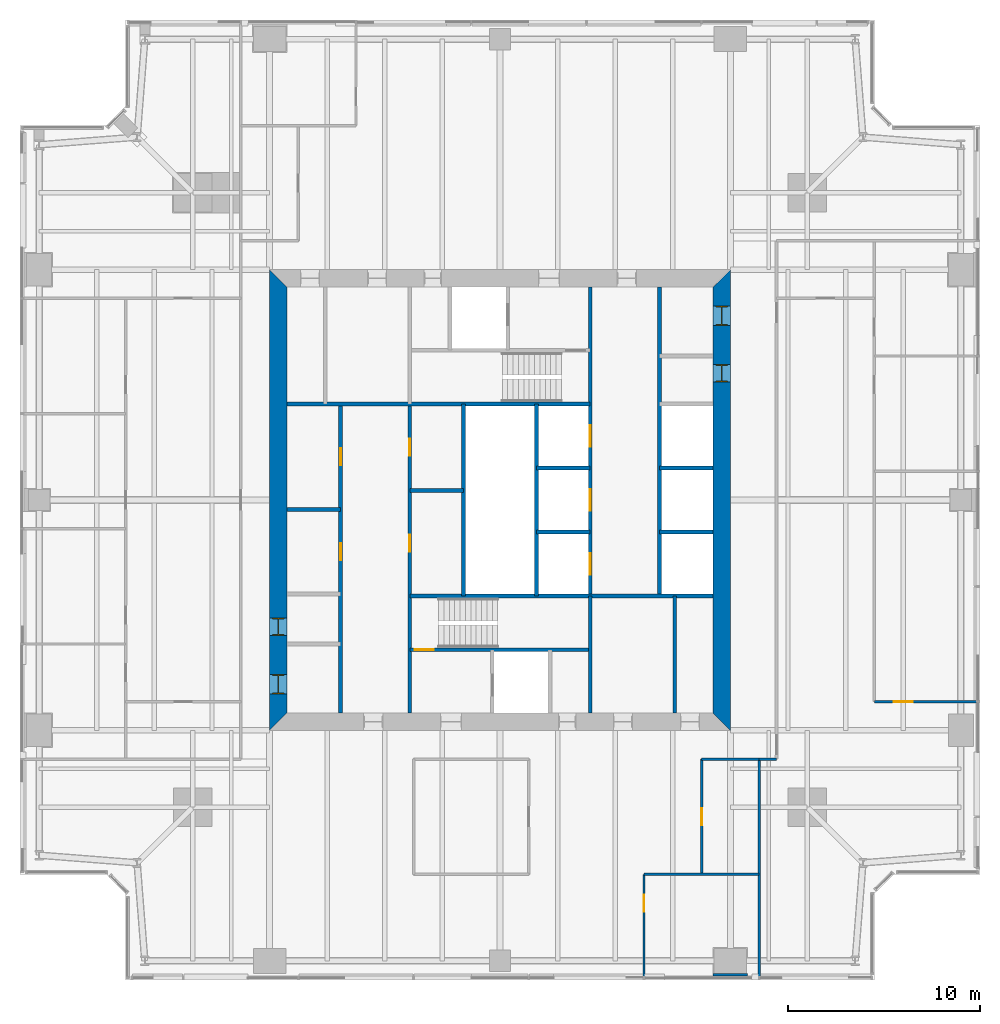
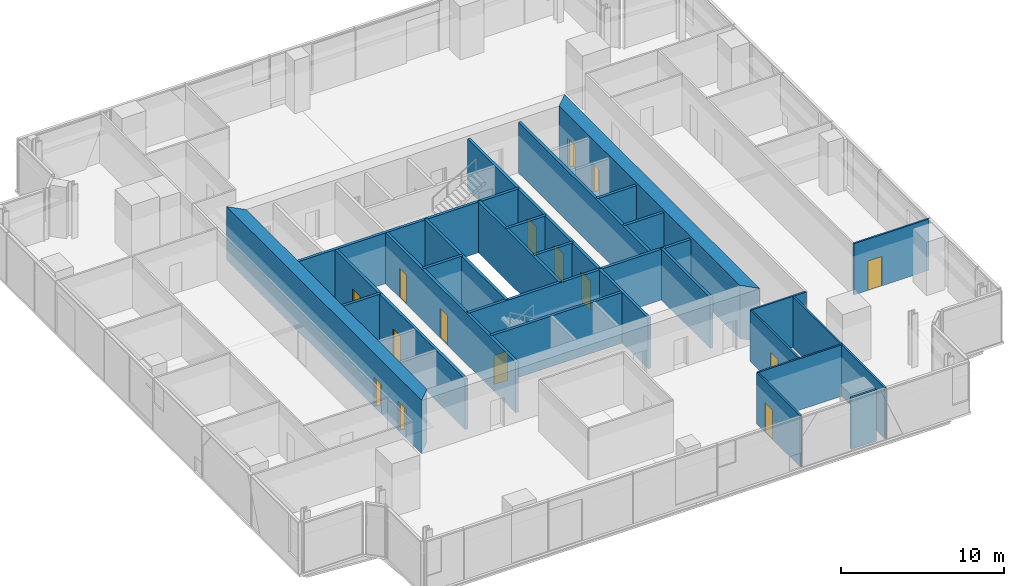
# One storey, part 10 of 14: 27 walls, 15 doors, 15 openings.
"""IFC4 building model written with IfcOpenShell, lengths in metres."""

from ifc_helpers import new_model, si_unit, direction, frame, frame_2d, origin, place, context, subcontext, project, spatial, polyline, rectangle, outline, extrude, material, layer, layer_set, type_object, element, fill, save


model = new_model("IFC4")

# Units and contexts
model_context = context("Model", 3, precision=1e-05, world=origin(), true_north=direction((0.0, 1.0)))
body_context = subcontext(model_context, "Body", "Model", "MODEL_VIEW")
ifc_project = project(units=[si_unit("LENGTHUNIT", "METRE"), si_unit("AREAUNIT", "SQUARE_METRE"), si_unit("VOLUMEUNIT", "CUBIC_METRE"), si_unit("PLANEANGLEUNIT", "RADIAN"), si_unit("MASSUNIT", "GRAM", prefix="KILO")], contexts=[model_context])

# Site, building, storey
site_placement = place(None, origin())
site = spatial("IfcSite", under=ifc_project, at=site_placement, CompositionType="ELEMENT")
building_placement = place(site_placement, origin())
building = spatial("IfcBuilding", under=site, at=building_placement, Name="Fenwick Lantern Interchange", CompositionType="ELEMENT")
storey_placement = place(building_placement, frame((0.0, 0.0, 221.800048828125)))
storey = spatial("IfcBuildingStorey", under=building, at=storey_placement, Name="L52", CompositionType="ELEMENT", Elevation=221.800048828125)

# Wall
ifc_material_1 = material(Name="Fire-rated gypsum board encasement on steel studs, 2 hour", Category="steel")
ifc_layer_1 = layer(ifc_material_1, 1.800048828125)
ifc_layer_set_1 = layer_set([ifc_layer_1], Name="COLUMN PIER 1800")
wall_type_1 = type_object("IfcWallType", Name="COLUMN PIER 1800", PredefinedType="PARTITIONING", material=ifc_layer_set_1)
wall_1_placement = place(storey_placement, frame((37.0, 0.199951171875, 0.0), z_axis=(0.0, 0.0, 1.0), x_axis=(0.0, 1.0, 0.0)))
element("IfcWall", 1, at=wall_1_placement, inside=storey, type_object=wall_type_1, Name="L52/W/PIER/CS4", PredefinedType="PARTITIONING", context=body_context, shape_type="SweptSolid", body=[
    extrude(rectangle(XDim=0.150146484375, YDim=1.800048828125, at=frame_2d((0.0751953125, 0.0))), origin(), (0.0, 0.0, 1.0), 3.849853515625),
])

# Wall, openings, doors
ifc_material_2 = material(Name="Concrete masonry ASTM C90 Grade N", Category="masonry")
ifc_layer_2 = layer(ifc_material_2, 0.199951171875)
ifc_layer_set_2 = layer_set([ifc_layer_2], Name="Concrete masonry ASTM C90 Grade N")
wall_type_2 = type_object("IfcWallType", Name="CORE PARTITION 200", PredefinedType="PARTITIONING", material=ifc_layer_set_2)
wall_2_placement = place(storey_placement, frame((16.699951171875, 13.89990234375, 0.0), z_axis=(0.0, 0.0, 1.0), x_axis=(0.0, 1.0, 0.0)))
wall_2 = element("IfcWall", 2, at=wall_2_placement, inside=storey, type_object=wall_type_2, Name="L52/W/CORES/a", PredefinedType="PARTITIONING", context=body_context, shape_type="SweptSolid", body=[
    extrude(rectangle(XDim=16.10009765625, YDim=0.199951171875, at=frame_2d((8.050048828125, 0.0))), origin(), (0.0, 0.0, 1.0), 3.800048828125),
])
opening_1_placement = place(wall_2_placement, frame((7.949951171875, 0.0, 0.0)))
opening_1 = element("IfcOpeningElement", 3, at=opening_1_placement, cuts=wall_2, Name="Opening L52-D009", PredefinedType="OPENING", context=body_context, shape_type="SweptSolid", body=[
    extrude(rectangle(XDim=0.89990234375, YDim=2.199951171875, at=frame_2d((0.449951171875, 1.10009765625))), frame((0.0, 0.10986328125, 0.0), z_axis=(0.0, -1.0, 0.0), x_axis=(1.0, 0.0, 0.0)), (0.0, 0.0, 1.0), 0.219970703125),
])
opening_2_placement = place(wall_2_placement, frame((12.89990234375, 0.0, 0.0)))
opening_2 = element("IfcOpeningElement", 4, at=opening_2_placement, cuts=wall_2, Name="Opening L52-D010", PredefinedType="OPENING", context=body_context, shape_type="SweptSolid", body=[
    extrude(rectangle(XDim=0.89990234375, YDim=2.199951171875, at=frame_2d((0.449951171875, 1.10009765625))), frame((0.0, 0.10986328125, 0.0), z_axis=(0.0, -1.0, 0.0), x_axis=(1.0, 0.0, 0.0)), (0.0, 0.0, 1.0), 0.219970703125),
])
ifc_material_3 = material(Name="Steel door and frame", Category="steel")
door_type_1 = type_object("IfcDoorType", Name="SERVICE DOOR 900 X 2200", OperationType="SINGLE_SWING_LEFT", PredefinedType="DOOR", material=ifc_material_3)
door_1_placement = place(opening_1_placement, origin())
door_1 = element("IfcDoor", 5, at=door_1_placement, inside=storey, type_object=door_type_1, Name="Service door", OperationType="SINGLE_SWING_LEFT", OverallHeight=2.199951171875, OverallWidth=0.89990234375, PredefinedType="DOOR", context=body_context, shape_type="SweptSolid", body=[
    extrude(rectangle(XDim=0.89990234375, YDim=2.199951171875, at=frame_2d((0.449951171875, 1.10009765625))), frame((0.0, 0.02490234375, 0.0), z_axis=(0.0, -1.0, 0.0), x_axis=(1.0, 0.0, 0.0)), (0.0, 0.0, 1.0), 0.050048828125),
])
fill(opening_1, door_1)
door_2_placement = place(opening_2_placement, origin())
door_2 = element("IfcDoor", 6, at=door_2_placement, inside=storey, type_object=door_type_1, Name="Service door", OperationType="SINGLE_SWING_LEFT", OverallHeight=2.199951171875, OverallWidth=0.89990234375, PredefinedType="DOOR", context=body_context, shape_type="SweptSolid", body=[
    extrude(rectangle(XDim=0.89990234375, YDim=2.199951171875, at=frame_2d((0.449951171875, 1.10009765625))), frame((0.0, 0.02490234375, 0.0), z_axis=(0.0, -1.0, 0.0), x_axis=(1.0, 0.0, 0.0)), (0.0, 0.0, 1.0), 0.050048828125),
])
fill(opening_2, door_2)

# Walls
wall_3_placement = place(storey_placement, frame((23.10009765625, 20.0, 0.0), z_axis=(0.0, 0.0, 1.0), x_axis=(0.0, 1.0, 0.0)))
element("IfcWall", 7, at=wall_3_placement, inside=storey, type_object=wall_type_2, Name="L52/W/CORES/e3", PredefinedType="PARTITIONING", context=body_context, shape_type="SweptSolid", body=[
    extrude(rectangle(XDim=10.0, YDim=0.199951171875, at=frame_2d((5.0, 0.0))), origin(), (0.0, 0.0, 1.0), 3.800048828125),
])
wall_4_placement = place(storey_placement, frame((34.10009765625, 13.89990234375, 0.0), z_axis=(0.0, 0.0, 1.0), x_axis=(0.0, 1.0, 0.0)))
element("IfcWall", 8, at=wall_4_placement, inside=storey, type_object=wall_type_2, Name="L52/W/CORES/i2", PredefinedType="PARTITIONING", context=body_context, shape_type="SweptSolid", body=[
    extrude(rectangle(XDim=6.10009765625, YDim=0.199951171875, at=frame_2d((3.050048828125, 0.0))), origin(), (0.0, 0.0, 1.0), 3.800048828125),
])
for number, where, z_axis, x_axis, name in (
    (9, (13.89990234375, 24.5, 0.0), (0.0, 0.0, 1.0), (1.0, 0.0, 0.0), "L52/W/CORES/p3"),
    (10, (20.300048828125, 25.5, 0.0), (0.0, 0.0, 1.0), (1.0, 0.0, 0.0), "L52/W/CORES/q1"),
):
    element("IfcWall", number, at=place(storey_placement, frame(where, z_axis=z_axis, x_axis=x_axis)), inside=storey, type_object=wall_type_2, Name=name, PredefinedType="PARTITIONING", context=body_context, shape_type="SweptSolid", body=[
        extrude(rectangle(XDim=2.800048828125, YDim=0.199951171875, at=frame_2d((1.39990234375, 0.0))), origin(), (0.0, 0.0, 1.0), 3.800048828125),
    ])
wall_5_placement = place(storey_placement, frame((33.300048828125, 36.10009765625, 0.0), z_axis=(0.0, 0.0, 1.0), x_axis=(0.0, -1.0, 0.0)))
element("IfcWall", 11, at=wall_5_placement, inside=storey, type_object=wall_type_2, Name="L52/W/COREN/a", PredefinedType="PARTITIONING", context=body_context, shape_type="SweptSolid", body=[
    extrude(rectangle(XDim=16.10009765625, YDim=0.199951171875, at=frame_2d((8.050048828125, 0.0))), origin(), (0.0, 0.0, 1.0), 3.800048828125),
])
for number, where, z_axis, x_axis, name in (
    (12, (36.10009765625, 26.666748046875, 0.0), (0.0, 0.0, 1.0), (-1.0, 0.0, 0.0), "L52/W/COREN/d1"),
    (13, (36.10009765625, 23.333251953125, 0.0), (0.0, 0.0, 1.0), (-1.0, 0.0, 0.0), "L52/W/COREN/d2"),
    (14, (29.699951171875, 26.666748046875, 0.0), (0.0, 0.0, 1.0), (-1.0, 0.0, 0.0), "L52/W/COREN/e1"),
    (15, (29.699951171875, 23.333251953125, 0.0), (0.0, 0.0, 1.0), (-1.0, 0.0, 0.0), "L52/W/COREN/e2"),
):
    element("IfcWall", number, at=place(storey_placement, frame(where, z_axis=z_axis, x_axis=x_axis)), inside=storey, type_object=wall_type_2, Name=name, PredefinedType="PARTITIONING", context=body_context, shape_type="SweptSolid", body=[
        extrude(rectangle(XDim=2.800048828125, YDim=0.199951171875, at=frame_2d((1.39990234375, 0.0))), origin(), (0.0, 0.0, 1.0), 3.800048828125),
    ])
wall_6_placement = place(storey_placement, frame((26.89990234375, 30.0, 0.0), z_axis=(0.0, 0.0, 1.0), x_axis=(0.0, -1.0, 0.0)))
element("IfcWall", 16, at=wall_6_placement, inside=storey, type_object=wall_type_2, Name="L52/W/COREN/e3", PredefinedType="PARTITIONING", context=body_context, shape_type="SweptSolid", body=[
    extrude(rectangle(XDim=10.0, YDim=0.199951171875, at=frame_2d((5.0, 0.0))), origin(), (0.0, 0.0, 1.0), 3.800048828125),
])

# Wall, openings, doors
ifc_material_4 = material(Name="Concrete f'c 70 MPa", Category="concrete")
ifc_layer_3 = layer(ifc_material_4, 0.89990234375)
ifc_layer_set_3 = layer_set([ifc_layer_3], Name="CORE WALL 900")
wall_type_3 = type_object("IfcWallType", Name="CORE WALL 900", PredefinedType="SHEAR", material=ifc_layer_set_3)
wall_7_placement = place(storey_placement, frame((36.550048828125, 13.89990234375, 0.0), z_axis=(0.0, 0.0, 1.0), x_axis=(0.0, 1.0, 0.0)))
wall_7 = element("IfcWall", 17, at=wall_7_placement, inside=storey, type_object=wall_type_3, Name="L52/CORE/E", PredefinedType="SHEAR", context=body_context, shape_type="SweptSolid", body=[
    extrude(outline(polyline([(-0.89990234375, -0.449951171875), (23.10009765625, -0.449951171875), (22.199951171875, 0.449951171875), (0.0, 0.449951171875), (-0.89990234375, -0.449951171875)])), origin(), (0.0, 0.0, 1.0), 4.0),
])
opening_3_placement = place(wall_7_placement, frame((20.199951171875, 0.0, 0.0)))
opening_3 = element("IfcOpeningElement", 18, at=opening_3_placement, cuts=wall_7, Name="Opening L52-D019", PredefinedType="OPENING", context=body_context, shape_type="SweptSolid", body=[
    extrude(rectangle(XDim=1.0, YDim=2.199951171875, at=frame_2d((0.5, 1.10009765625))), frame((0.0, 0.4599609375, 0.0), z_axis=(0.0, -1.0, 0.0), x_axis=(1.0, 0.0, 0.0)), (0.0, 0.0, 1.0), 0.919921875),
])
opening_4_placement = place(wall_7_placement, frame((17.25, 0.0, 0.0)))
opening_4 = element("IfcOpeningElement", 19, at=opening_4_placement, cuts=wall_7, Name="Opening L52-D020", PredefinedType="OPENING", context=body_context, shape_type="SweptSolid", body=[
    extrude(rectangle(XDim=0.89990234375, YDim=2.199951171875, at=frame_2d((0.449951171875, 1.10009765625))), frame((0.0, 0.4599609375, 0.0), z_axis=(0.0, -1.0, 0.0), x_axis=(1.0, 0.0, 0.0)), (0.0, 0.0, 1.0), 0.919921875),
])
door_3_placement = place(opening_4_placement, origin())
door_3 = element("IfcDoor", 20, at=door_3_placement, inside=storey, type_object=door_type_1, Name="Service door", OperationType="SINGLE_SWING_RIGHT", OverallHeight=2.199951171875, OverallWidth=0.89990234375, PredefinedType="DOOR", context=body_context, shape_type="SweptSolid", body=[
    extrude(rectangle(XDim=0.89990234375, YDim=2.199951171875, at=frame_2d((0.449951171875, 1.10009765625))), frame((0.0, 0.02490234375, 0.0), z_axis=(0.0, -1.0, 0.0), x_axis=(1.0, 0.0, 0.0)), (0.0, 0.0, 1.0), 0.050048828125),
    extrude(outline(polyline([(0.0, 0.0), (0.0400390625, 0.0), (0.0400390625, 2.159912109375), (0.85986328125, 2.159912109375), (0.85986328125, 0.0), (0.89990234375, 0.0), (0.89990234375, 2.199951171875), (0.0, 2.199951171875), (0.0, 0.0)])), frame((0.0, 0.300048828125, 0.0), z_axis=(0.0, -1.0, 0.0), x_axis=(1.0, 0.0, 0.0)), (0.0, 0.0, 1.0), 0.60009765625),
])
fill(opening_4, door_3)
ifc_material_5 = material(Name="Hardwood door and steel frame", Category="steel")
door_type_2 = type_object("IfcDoorType", Name="WC DOOR 1000 X 2200", OperationType="SINGLE_SWING_LEFT", PredefinedType="DOOR", material=ifc_material_5)
door_4_placement = place(opening_3_placement, origin())
door_4 = element("IfcDoor", 21, at=door_4_placement, inside=storey, type_object=door_type_2, Name="Wc door", OperationType="SINGLE_SWING_RIGHT", OverallHeight=2.199951171875, OverallWidth=1.0, PredefinedType="DOOR", context=body_context, shape_type="SweptSolid", body=[
    extrude(rectangle(XDim=1.0, YDim=2.199951171875, at=frame_2d((0.5, 1.10009765625))), frame((0.0, 0.02490234375, 0.0), z_axis=(0.0, -1.0, 0.0), x_axis=(1.0, 0.0, 0.0)), (0.0, 0.0, 1.0), 0.050048828125),
    extrude(outline(polyline([(0.0, 0.0), (0.0400390625, 0.0), (0.0400390625, 2.159912109375), (0.9599609375, 2.159912109375), (0.9599609375, 0.0), (1.0, 0.0), (1.0, 2.199951171875), (0.0, 2.199951171875), (0.0, 0.0)])), frame((0.0, 0.300048828125, 0.0), z_axis=(0.0, -1.0, 0.0), x_axis=(1.0, 0.0, 0.0)), (0.0, 0.0, 1.0), 0.60009765625),
])
fill(opening_3, door_4)

wall_8_placement = place(storey_placement, frame((13.449951171875, 36.10009765625, 0.0), z_axis=(0.0, 0.0, 1.0), x_axis=(0.0, -1.0, 0.0)))
wall_8 = element("IfcWall", 22, at=wall_8_placement, inside=storey, type_object=wall_type_3, Name="L52/CORE/W", PredefinedType="SHEAR", context=body_context, shape_type="SweptSolid", body=[
    extrude(outline(polyline([(-0.89990234375, -0.449951171875), (23.10009765625, -0.449951171875), (22.199951171875, 0.449951171875), (0.0, 0.449951171875), (-0.89990234375, -0.449951171875)])), origin(), (0.0, 0.0, 1.0), 4.0),
])
opening_5_placement = place(wall_8_placement, frame((20.199951171875, 0.0, 0.0)))
opening_5 = element("IfcOpeningElement", 23, at=opening_5_placement, cuts=wall_8, Name="Opening L52-D007", PredefinedType="OPENING", context=body_context, shape_type="SweptSolid", body=[
    extrude(rectangle(XDim=1.0, YDim=2.199951171875, at=frame_2d((0.5, 1.10009765625))), frame((0.0, 0.4599609375, 0.0), z_axis=(0.0, -1.0, 0.0), x_axis=(1.0, 0.0, 0.0)), (0.0, 0.0, 1.0), 0.919921875),
])
opening_6_placement = place(wall_8_placement, frame((17.25, 0.0, 0.0)))
opening_6 = element("IfcOpeningElement", 24, at=opening_6_placement, cuts=wall_8, Name="Opening L52-D008", PredefinedType="OPENING", context=body_context, shape_type="SweptSolid", body=[
    extrude(rectangle(XDim=0.89990234375, YDim=2.199951171875, at=frame_2d((0.449951171875, 1.10009765625))), frame((0.0, 0.4599609375, 0.0), z_axis=(0.0, -1.0, 0.0), x_axis=(1.0, 0.0, 0.0)), (0.0, 0.0, 1.0), 0.919921875),
])
door_5_placement = place(opening_6_placement, origin())
door_5 = element("IfcDoor", 25, at=door_5_placement, inside=storey, type_object=door_type_1, Name="Service door", OperationType="SINGLE_SWING_RIGHT", OverallHeight=2.199951171875, OverallWidth=0.89990234375, PredefinedType="DOOR", context=body_context, shape_type="SweptSolid", body=[
    extrude(rectangle(XDim=0.89990234375, YDim=2.199951171875, at=frame_2d((0.449951171875, 1.10009765625))), frame((0.0, 0.02490234375, 0.0), z_axis=(0.0, -1.0, 0.0), x_axis=(1.0, 0.0, 0.0)), (0.0, 0.0, 1.0), 0.050048828125),
    extrude(outline(polyline([(0.0, 0.0), (0.0400390625, 0.0), (0.0400390625, 2.159912109375), (0.85986328125, 2.159912109375), (0.85986328125, 0.0), (0.89990234375, 0.0), (0.89990234375, 2.199951171875), (0.0, 2.199951171875), (0.0, 0.0)])), frame((0.0, 0.300048828125, 0.0), z_axis=(0.0, -1.0, 0.0), x_axis=(1.0, 0.0, 0.0)), (0.0, 0.0, 1.0), 0.60009765625),
])
fill(opening_6, door_5)
door_6_placement = place(opening_5_placement, origin())
door_6 = element("IfcDoor", 26, at=door_6_placement, inside=storey, type_object=door_type_2, Name="Wc door", OperationType="SINGLE_SWING_RIGHT", OverallHeight=2.199951171875, OverallWidth=1.0, PredefinedType="DOOR", context=body_context, shape_type="SweptSolid", body=[
    extrude(rectangle(XDim=1.0, YDim=2.199951171875, at=frame_2d((0.5, 1.10009765625))), frame((0.0, 0.02490234375, 0.0), z_axis=(0.0, -1.0, 0.0), x_axis=(1.0, 0.0, 0.0)), (0.0, 0.0, 1.0), 0.050048828125),
    extrude(outline(polyline([(0.0, 0.0), (0.0400390625, 0.0), (0.0400390625, 2.159912109375), (0.9599609375, 2.159912109375), (0.9599609375, 0.0), (1.0, 0.0), (1.0, 2.199951171875), (0.0, 2.199951171875), (0.0, 0.0)])), frame((0.0, 0.300048828125, 0.0), z_axis=(0.0, -1.0, 0.0), x_axis=(1.0, 0.0, 0.0)), (0.0, 0.0, 1.0), 0.60009765625),
])
fill(opening_5, door_6)

# Wall
ifc_material_6 = material(Name="Gypsum board on steel studs, 1 hour", Category="steel")
ifc_layer_4 = layer(ifc_material_6, 0.14990234375)
ifc_layer_set_4 = layer_set([ifc_layer_4], Name="CORRIDOR WALL 150")
wall_type_4 = type_object("IfcWallType", Name="CORRIDOR WALL 150", PredefinedType="PARTITIONING", material=ifc_layer_set_4)
wall_9_placement = place(storey_placement, frame((38.5, 11.5, 0.0), z_axis=(0.0, 0.0, 1.0), x_axis=(1.0, 0.0, 0.0)))
element("IfcWall", 27, at=wall_9_placement, inside=storey, type_object=wall_type_4, Name="L52/W/OFF/E/CWJ", PredefinedType="PARTITIONING", context=body_context, shape_type="SweptSolid", body=[
    extrude(rectangle(XDim=0.89990234375, YDim=0.14990234375, at=frame_2d((0.449951171875, 0.0))), origin(), (0.0, 0.0, 1.0), 3.849853515625),
])

# Wall, opening, door
ifc_material_7 = material(Name="Gypsum board on steel studs, acoustic", Category="steel")
ifc_layer_5 = layer(ifc_material_7, 0.125)
ifc_layer_set_5 = layer_set([ifc_layer_5], Name="OFFICE PARTITION 125")
wall_type_5 = type_object("IfcWallType", Name="OFFICE PARTITION 125", PredefinedType="PARTITIONING", material=ifc_layer_set_5)
wall_10_placement = place(storey_placement, frame((32.5, 0.14990234375, 0.0), z_axis=(0.0, 0.0, 1.0), x_axis=(0.0, 1.0, 0.0)))
wall_10 = element("IfcWall", 28, at=wall_10_placement, inside=storey, type_object=wall_type_5, Name="L52/W/OFF/S/X325-1", PredefinedType="PARTITIONING", context=body_context, shape_type="SweptSolid", body=[
    extrude(rectangle(XDim=5.35009765625, YDim=0.125, at=frame_2d((2.675048828125, 0.0))), origin(), (0.0, 0.0, 1.0), 3.849853515625),
])
opening_7_placement = place(wall_10_placement, frame((3.39990234375, 0.0, 0.0)))
opening_7 = element("IfcOpeningElement", 29, at=opening_7_placement, cuts=wall_10, Name="Opening L52-D022", PredefinedType="OPENING", context=body_context, shape_type="SweptSolid", body=[
    extrude(rectangle(XDim=0.89990234375, YDim=2.199951171875, at=frame_2d((0.449951171875, 1.10009765625))), frame((0.0, 0.072509765625, 0.0), z_axis=(0.0, -1.0, 0.0), x_axis=(1.0, 0.0, 0.0)), (0.0, 0.0, 1.0), 0.14501953125),
])
door_type_3 = type_object("IfcDoorType", Name="OFFICE DOOR 900 X 2200", OperationType="SINGLE_SWING_LEFT", PredefinedType="DOOR", material=ifc_material_5)
door_7_placement = place(opening_7_placement, frame((0.89990234375, 0.0, 0.0), z_axis=(0.0, 0.0, 1.0), x_axis=(-1.0, 0.0, 0.0)))
door_7 = element("IfcDoor", 30, at=door_7_placement, inside=storey, type_object=door_type_3, Name="Office door", OperationType="SINGLE_SWING_LEFT", OverallHeight=2.199951171875, OverallWidth=0.89990234375, PredefinedType="DOOR", context=body_context, shape_type="SweptSolid", body=[
    extrude(rectangle(XDim=0.89990234375, YDim=2.199951171875, at=frame_2d((0.449951171875, 1.10009765625))), frame((0.0, 0.02490234375, 0.0), z_axis=(0.0, -1.0, 0.0), x_axis=(1.0, 0.0, 0.0)), (0.0, 0.0, 1.0), 0.050048828125),
])
fill(opening_7, door_7)

wall_11_placement = place(storey_placement, frame((35.5, 5.5, 0.0), z_axis=(0.0, 0.0, 1.0), x_axis=(0.0, 1.0, 0.0)))
wall_11 = element("IfcWall", 31, at=wall_11_placement, inside=storey, type_object=wall_type_5, Name="L52/W/OFF/S/X355-1", PredefinedType="PARTITIONING", context=body_context, shape_type="SweptSolid", body=[
    extrude(rectangle(XDim=6.0, YDim=0.125, at=frame_2d((3.0, 0.0))), origin(), (0.0, 0.0, 1.0), 3.849853515625),
])
opening_8_placement = place(wall_11_placement, frame((2.550048828125, 0.0, 0.0)))
opening_8 = element("IfcOpeningElement", 32, at=opening_8_placement, cuts=wall_11, Name="Opening L52-D023", PredefinedType="OPENING", context=body_context, shape_type="SweptSolid", body=[
    extrude(rectangle(XDim=0.89990234375, YDim=2.199951171875, at=frame_2d((0.449951171875, 1.10009765625))), frame((0.0, 0.072509765625, 0.0), z_axis=(0.0, -1.0, 0.0), x_axis=(1.0, 0.0, 0.0)), (0.0, 0.0, 1.0), 0.14501953125),
])
door_8_placement = place(opening_8_placement, frame((0.89990234375, 0.0, 0.0), z_axis=(0.0, 0.0, 1.0), x_axis=(-1.0, 0.0, 0.0)))
door_8 = element("IfcDoor", 33, at=door_8_placement, inside=storey, type_object=door_type_3, Name="Office door", OperationType="SINGLE_SWING_RIGHT", OverallHeight=2.199951171875, OverallWidth=0.89990234375, PredefinedType="DOOR", context=body_context, shape_type="SweptSolid", body=[
    extrude(rectangle(XDim=0.89990234375, YDim=2.199951171875, at=frame_2d((0.449951171875, 1.10009765625))), frame((0.0, 0.02490234375, 0.0), z_axis=(0.0, -1.0, 0.0), x_axis=(1.0, 0.0, 0.0)), (0.0, 0.0, 1.0), 0.050048828125),
])
fill(opening_8, door_8)

# Walls
wall_12_placement = place(storey_placement, frame((32.5, 5.5, 0.0), z_axis=(0.0, 0.0, 1.0), x_axis=(1.0, 0.0, 0.0)))
element("IfcWall", 34, at=wall_12_placement, inside=storey, type_object=wall_type_5, Name="L52/W/OFF/S/Y55-2", PredefinedType="PARTITIONING", context=body_context, shape_type="SweptSolid", body=[
    extrude(rectangle(XDim=6.0, YDim=0.125, at=frame_2d((3.0, 0.0))), origin(), (0.0, 0.0, 1.0), 3.849853515625),
])
wall_13_placement = place(storey_placement, frame((35.5, 11.5, 0.0), z_axis=(0.0, 0.0, 1.0), x_axis=(1.0, 0.0, 0.0)))
element("IfcWall", 35, at=wall_13_placement, inside=storey, type_object=wall_type_5, Name="L52/W/OFF/S/CWS2", PredefinedType="PARTITIONING", context=body_context, shape_type="SweptSolid", body=[
    extrude(rectangle(XDim=3.0, YDim=0.125, at=frame_2d((1.5, 0.0))), origin(), (0.0, 0.0, 1.0), 3.849853515625),
])
wall_14_placement = place(storey_placement, frame((38.5, 0.14990234375, 0.0), z_axis=(0.0, 0.0, 1.0), x_axis=(0.0, 1.0, 0.0)))
element("IfcWall", 36, at=wall_14_placement, inside=storey, type_object=wall_type_5, Name="L52/W/OFF/E/BACK", PredefinedType="PARTITIONING", context=body_context, shape_type="SweptSolid", body=[
    extrude(rectangle(XDim=11.35009765625, YDim=0.125, at=frame_2d((5.675048828125, 0.0))), origin(), (0.0, 0.0, 1.0), 3.849853515625),
])

# Wall, opening, door
wall_15_placement = place(storey_placement, frame((49.85009765625, 14.5, 0.0), z_axis=(0.0, 0.0, 1.0), x_axis=(-1.0, 0.0, 0.0)))
wall_15 = element("IfcWall", 37, at=wall_15_placement, inside=storey, type_object=wall_type_5, Name="L52/W/OFF/E/X145-1", PredefinedType="PARTITIONING", context=body_context, shape_type="SweptSolid", body=[
    extrude(rectangle(XDim=5.35009765625, YDim=0.125, at=frame_2d((2.675048828125, 0.0))), origin(), (0.0, 0.0, 1.0), 3.849853515625),
])
opening_9_placement = place(wall_15_placement, frame((3.35009765625, 0.0, 0.0)))
opening_9 = element("IfcOpeningElement", 38, at=opening_9_placement, cuts=wall_15, Name="Opening L52-D026", PredefinedType="OPENING", context=body_context, shape_type="SweptSolid", body=[
    extrude(rectangle(XDim=1.0, YDim=2.199951171875, at=frame_2d((0.5, 1.10009765625))), frame((0.0, 0.072509765625, 0.0), z_axis=(0.0, -1.0, 0.0), x_axis=(1.0, 0.0, 0.0)), (0.0, 0.0, 1.0), 0.14501953125),
])
door_type_4 = type_object("IfcDoorType", Name="MEETING ROOM DOOR 1000 X 2200", OperationType="SINGLE_SWING_LEFT", PredefinedType="DOOR", material=ifc_material_5)
door_9_placement = place(opening_9_placement, frame((1.0, 0.0, 0.0), z_axis=(0.0, 0.0, 1.0), x_axis=(-1.0, 0.0, 0.0)))
door_9 = element("IfcDoor", 39, at=door_9_placement, inside=storey, type_object=door_type_4, Name="Meeting room door", OperationType="SINGLE_SWING_LEFT", OverallHeight=2.199951171875, OverallWidth=1.0, PredefinedType="DOOR", context=body_context, shape_type="SweptSolid", body=[
    extrude(rectangle(XDim=1.0, YDim=2.199951171875, at=frame_2d((0.5, 1.10009765625))), frame((0.0, 0.02490234375, 0.0), z_axis=(0.0, -1.0, 0.0), x_axis=(1.0, 0.0, 0.0)), (0.0, 0.0, 1.0), 0.050048828125),
])
fill(opening_9, door_9)

# Wall, openings, doors
ifc_material_8 = material(Name="Concrete f'c 45 MPa", Category="concrete")
ifc_layer_6 = layer(ifc_material_8, 0.199951171875)
ifc_layer_set_6 = layer_set([ifc_layer_6], Name="STAIR CORE WALL 200")
wall_type_6 = type_object("IfcWallType", Name="STAIR CORE WALL 200", PredefinedType="SOLIDWALL", material=ifc_layer_set_6)
wall_16_placement = place(storey_placement, frame((20.300048828125, 13.89990234375, 0.0), z_axis=(0.0, 0.0, 1.0), x_axis=(0.0, 1.0, 0.0)))
wall_16 = element("IfcWall", 40, at=wall_16_placement, inside=storey, type_object=wall_type_6, Name="L52/W/CORES/b", PredefinedType="SOLIDWALL", context=body_context, shape_type="SweptSolid", body=[
    extrude(rectangle(XDim=16.10009765625, YDim=0.199951171875, at=frame_2d((8.050048828125, 0.0))), origin(), (0.0, 0.0, 1.0), 3.800048828125),
])
opening_10_placement = place(wall_16_placement, frame((8.39990234375, 0.0, 0.0)))
opening_10 = element("IfcOpeningElement", 41, at=opening_10_placement, cuts=wall_16, Name="Opening L52-D011", PredefinedType="OPENING", context=body_context, shape_type="SweptSolid", body=[
    extrude(rectangle(XDim=0.89990234375, YDim=2.199951171875, at=frame_2d((0.449951171875, 1.10009765625))), frame((0.0, 0.10986328125, 0.0), z_axis=(0.0, -1.0, 0.0), x_axis=(1.0, 0.0, 0.0)), (0.0, 0.0, 1.0), 0.219970703125),
])
opening_11_placement = place(wall_16_placement, frame((13.39990234375, 0.0, 0.0)))
opening_11 = element("IfcOpeningElement", 42, at=opening_11_placement, cuts=wall_16, Name="Opening L52-D012", PredefinedType="OPENING", context=body_context, shape_type="SweptSolid", body=[
    extrude(rectangle(XDim=0.89990234375, YDim=2.199951171875, at=frame_2d((0.449951171875, 1.10009765625))), frame((0.0, 0.10986328125, 0.0), z_axis=(0.0, -1.0, 0.0), x_axis=(1.0, 0.0, 0.0)), (0.0, 0.0, 1.0), 0.219970703125),
])
door_10_placement = place(opening_10_placement, frame((0.89990234375, 0.0, 0.0), z_axis=(0.0, 0.0, 1.0), x_axis=(-1.0, 0.0, 0.0)))
door_10 = element("IfcDoor", 43, at=door_10_placement, inside=storey, type_object=door_type_1, Name="Service door", OperationType="SINGLE_SWING_RIGHT", OverallHeight=2.199951171875, OverallWidth=0.89990234375, PredefinedType="DOOR", context=body_context, shape_type="SweptSolid", body=[
    extrude(rectangle(XDim=0.89990234375, YDim=2.199951171875, at=frame_2d((0.449951171875, 1.10009765625))), frame((0.0, 0.02490234375, 0.0), z_axis=(0.0, -1.0, 0.0), x_axis=(1.0, 0.0, 0.0)), (0.0, 0.0, 1.0), 0.050048828125),
])
fill(opening_10, door_10)
door_11_placement = place(opening_11_placement, frame((0.89990234375, 0.0, 0.0), z_axis=(0.0, 0.0, 1.0), x_axis=(-1.0, 0.0, 0.0)))
door_11 = element("IfcDoor", 44, at=door_11_placement, inside=storey, type_object=door_type_1, Name="Service door", OperationType="SINGLE_SWING_RIGHT", OverallHeight=2.199951171875, OverallWidth=0.89990234375, PredefinedType="DOOR", context=body_context, shape_type="SweptSolid", body=[
    extrude(rectangle(XDim=0.89990234375, YDim=2.199951171875, at=frame_2d((0.449951171875, 1.10009765625))), frame((0.0, 0.02490234375, 0.0), z_axis=(0.0, -1.0, 0.0), x_axis=(1.0, 0.0, 0.0)), (0.0, 0.0, 1.0), 0.050048828125),
])
fill(opening_11, door_11)

# Wall, opening, door
wall_17_placement = place(storey_placement, frame((20.300048828125, 17.199951171875, 0.0), z_axis=(0.0, 0.0, 1.0), x_axis=(1.0, 0.0, 0.0)))
wall_17 = element("IfcWall", 45, at=wall_17_placement, inside=storey, type_object=wall_type_6, Name="L52/W/CORES/g1", PredefinedType="SOLIDWALL", context=body_context, shape_type="SweptSolid", body=[
    extrude(rectangle(XDim=9.39990234375, YDim=0.199951171875, at=frame_2d((4.699951171875, 0.0))), origin(), (0.0, 0.0, 1.0), 3.800048828125),
])
opening_12_placement = place(wall_17_placement, frame((0.25, 0.0, 0.0)))
opening_12 = element("IfcOpeningElement", 46, at=opening_12_placement, cuts=wall_17, Name="Opening L52-D003", PredefinedType="OPENING", context=body_context, shape_type="SweptSolid", body=[
    extrude(rectangle(XDim=1.0, YDim=2.199951171875, at=frame_2d((0.5, 1.10009765625))), frame((0.0, 0.10986328125, 0.0), z_axis=(0.0, -1.0, 0.0), x_axis=(1.0, 0.0, 0.0)), (0.0, 0.0, 1.0), 0.219970703125),
])
door_type_5 = type_object("IfcDoorType", Name="STAIR DOOR 1000 X 2200", OperationType="SINGLE_SWING_LEFT", PredefinedType="DOOR", material=ifc_material_3)
door_12_placement = place(opening_12_placement, origin())
door_12 = element("IfcDoor", 47, at=door_12_placement, inside=storey, type_object=door_type_5, Name="Stair door", OperationType="SINGLE_SWING_LEFT", OverallHeight=2.199951171875, OverallWidth=1.0, PredefinedType="DOOR", context=body_context, shape_type="SweptSolid", body=[
    extrude(rectangle(XDim=1.0, YDim=2.199951171875, at=frame_2d((0.5, 1.10009765625))), frame((0.0, 0.02490234375, 0.0), z_axis=(0.0, -1.0, 0.0), x_axis=(1.0, 0.0, 0.0)), (0.0, 0.0, 1.0), 0.050048828125),
])
fill(opening_12, door_12)

# Walls
wall_18_placement = place(storey_placement, frame((20.300048828125, 20.0, 0.0), z_axis=(0.0, 0.0, 1.0), x_axis=(1.0, 0.0, 0.0)))
element("IfcWall", 48, at=wall_18_placement, inside=storey, type_object=wall_type_6, Name="L52/W/CORES/g2", PredefinedType="SOLIDWALL", context=body_context, shape_type="SweptSolid", body=[
    extrude(rectangle(XDim=15.800048828125, YDim=0.199951171875, at=frame_2d((7.89990234375, 0.0))), origin(), (0.0, 0.0, 1.0), 3.800048828125),
])
wall_19_placement = place(storey_placement, frame((29.699951171875, 13.89990234375, 0.0), z_axis=(0.0, 0.0, 1.0), x_axis=(0.0, 1.0, 0.0)))
element("IfcWall", 49, at=wall_19_placement, inside=storey, type_object=wall_type_6, Name="L52/W/CORES/i1", PredefinedType="SOLIDWALL", context=body_context, shape_type="SweptSolid", body=[
    extrude(rectangle(XDim=6.10009765625, YDim=0.199951171875, at=frame_2d((3.050048828125, 0.0))), origin(), (0.0, 0.0, 1.0), 3.800048828125),
])

# Wall, openings, doors
wall_20_placement = place(storey_placement, frame((29.699951171875, 36.10009765625, 0.0), z_axis=(0.0, 0.0, 1.0), x_axis=(0.0, -1.0, 0.0)))
wall_20 = element("IfcWall", 50, at=wall_20_placement, inside=storey, type_object=wall_type_6, Name="L52/W/COREN/b", PredefinedType="SOLIDWALL", context=body_context, shape_type="SweptSolid", body=[
    extrude(rectangle(XDim=16.10009765625, YDim=0.199951171875, at=frame_2d((8.050048828125, 0.0))), origin(), (0.0, 0.0, 1.0), 3.800048828125),
])
opening_13_placement = place(wall_20_placement, frame((7.216552734375, 0.0, 0.0)))
opening_13 = element("IfcOpeningElement", 51, at=opening_13_placement, cuts=wall_20, Name="Opening LD-E2-1", PredefinedType="OPENING", context=body_context, shape_type="SweptSolid", body=[
    extrude(rectangle(XDim=1.10009765625, YDim=2.199951171875, at=frame_2d((0.550048828125, 1.10009765625))), frame((0.0, 0.10986328125, 0.0), z_axis=(0.0, -1.0, 0.0), x_axis=(1.0, 0.0, 0.0)), (0.0, 0.0, 1.0), 0.219970703125),
])
opening_14_placement = place(wall_20_placement, frame((10.550048828125, 0.0, 0.0)))
opening_14 = element("IfcOpeningElement", 52, at=opening_14_placement, cuts=wall_20, Name="Opening LD-E2-2", PredefinedType="OPENING", context=body_context, shape_type="SweptSolid", body=[
    extrude(rectangle(XDim=1.10009765625, YDim=2.199951171875, at=frame_2d((0.550048828125, 1.10009765625))), frame((0.0, 0.10986328125, 0.0), z_axis=(0.0, -1.0, 0.0), x_axis=(1.0, 0.0, 0.0)), (0.0, 0.0, 1.0), 0.219970703125),
])
opening_15_placement = place(wall_20_placement, frame((13.88330078125, 0.0, 0.0)))
opening_15 = element("IfcOpeningElement", 53, at=opening_15_placement, cuts=wall_20, Name="Opening LD-E2-3", PredefinedType="OPENING", context=body_context, shape_type="SweptSolid", body=[
    extrude(rectangle(XDim=1.10009765625, YDim=2.199951171875, at=frame_2d((0.550048828125, 1.10009765625))), frame((0.0, 0.10986328125, 0.0), z_axis=(0.0, -1.0, 0.0), x_axis=(1.0, 0.0, 0.0)), (0.0, 0.0, 1.0), 0.219970703125),
])
door_type_6 = type_object("IfcDoorType", Name="LIFT LANDING DOOR 1100 X 2200", OperationType="DOUBLE_DOOR_SLIDING", PredefinedType="DOOR", material=ifc_material_3)
door_13_placement = place(opening_13_placement, origin())
door_13 = element("IfcDoor", 54, at=door_13_placement, inside=storey, type_object=door_type_6, Name="Lift landing door E2-1", OperationType="DOUBLE_DOOR_SLIDING", OverallHeight=2.199951171875, OverallWidth=1.10009765625, PredefinedType="DOOR", context=body_context, shape_type="SweptSolid", body=[
    extrude(rectangle(XDim=1.10009765625, YDim=2.199951171875, at=frame_2d((0.550048828125, 1.10009765625))), frame((0.0, 0.02490234375, 0.0), z_axis=(0.0, -1.0, 0.0), x_axis=(1.0, 0.0, 0.0)), (0.0, 0.0, 1.0), 0.050048828125),
])
fill(opening_13, door_13)
door_14_placement = place(opening_14_placement, origin())
door_14 = element("IfcDoor", 55, at=door_14_placement, inside=storey, type_object=door_type_6, Name="Lift landing door E2-2", OperationType="DOUBLE_DOOR_SLIDING", OverallHeight=2.199951171875, OverallWidth=1.10009765625, PredefinedType="DOOR", context=body_context, shape_type="SweptSolid", body=[
    extrude(rectangle(XDim=1.10009765625, YDim=2.199951171875, at=frame_2d((0.550048828125, 1.10009765625))), frame((0.0, 0.02490234375, 0.0), z_axis=(0.0, -1.0, 0.0), x_axis=(1.0, 0.0, 0.0)), (0.0, 0.0, 1.0), 0.050048828125),
])
fill(opening_14, door_14)
door_15_placement = place(opening_15_placement, origin())
door_15 = element("IfcDoor", 56, at=door_15_placement, inside=storey, type_object=door_type_6, Name="Lift landing door E2-3", OperationType="DOUBLE_DOOR_SLIDING", OverallHeight=2.199951171875, OverallWidth=1.10009765625, PredefinedType="DOOR", context=body_context, shape_type="SweptSolid", body=[
    extrude(rectangle(XDim=1.10009765625, YDim=2.199951171875, at=frame_2d((0.550048828125, 1.10009765625))), frame((0.0, 0.02490234375, 0.0), z_axis=(0.0, -1.0, 0.0), x_axis=(1.0, 0.0, 0.0)), (0.0, 0.0, 1.0), 0.050048828125),
])
fill(opening_15, door_15)

# Wall
wall_21_placement = place(storey_placement, frame((29.699951171875, 30.0, 0.0), z_axis=(0.0, 0.0, 1.0), x_axis=(-1.0, 0.0, 0.0)))
element("IfcWall", 57, at=wall_21_placement, inside=storey, type_object=wall_type_6, Name="L52/W/COREN/g2", PredefinedType="SOLIDWALL", context=body_context, shape_type="SweptSolid", body=[
    extrude(rectangle(XDim=15.800048828125, YDim=0.199951171875, at=frame_2d((7.89990234375, 0.0))), origin(), (0.0, 0.0, 1.0), 3.800048828125),
])

save(model, "model.ifc")
